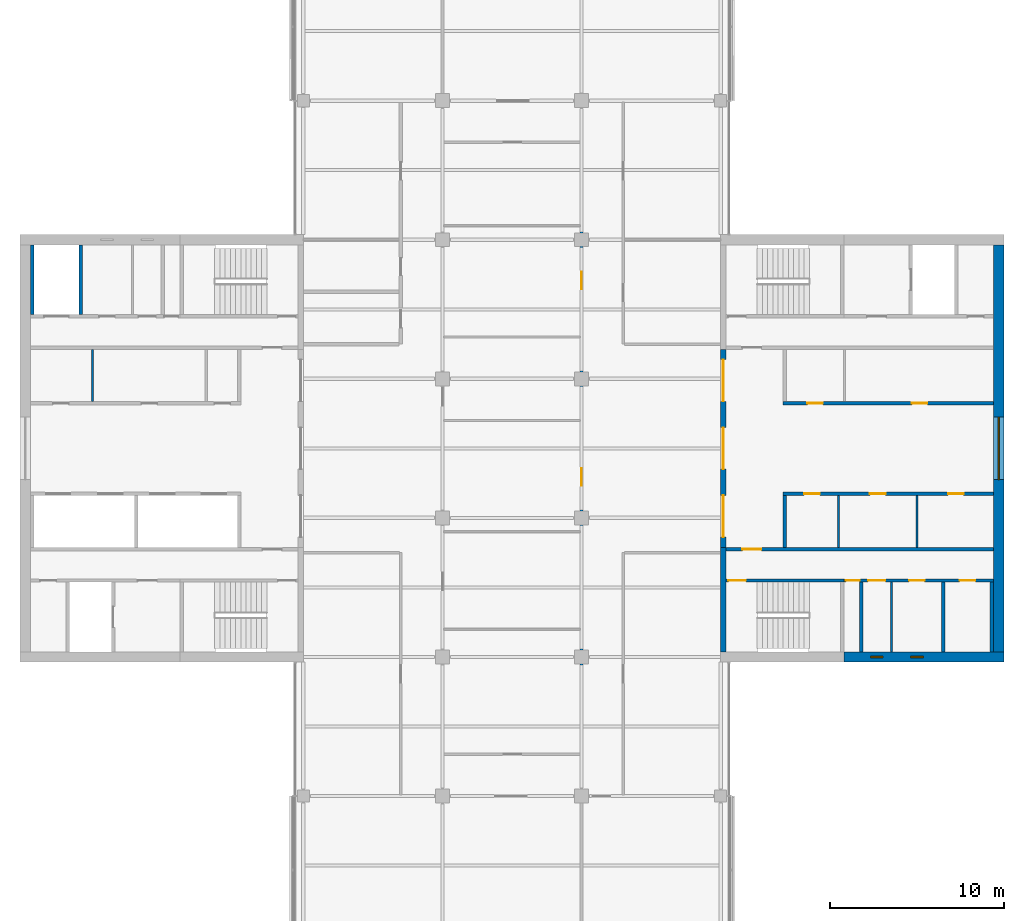
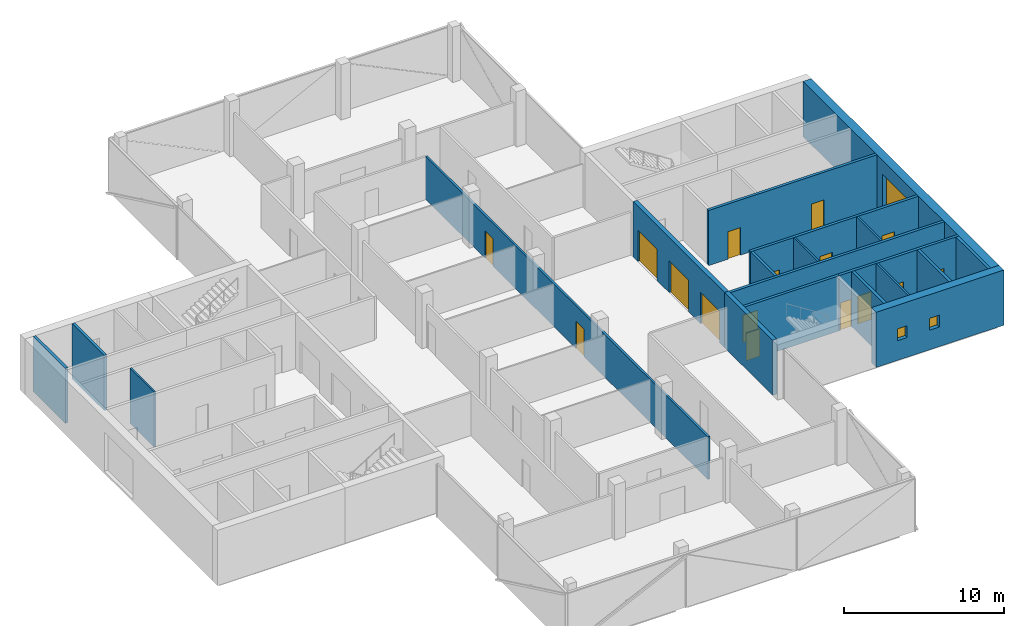
# One storey, part 10 of 15: 20 walls, 16 doors, 3 windows, 19 openings.
"""IFC4 building model written with IfcOpenShell, lengths in metres."""

from ifc_helpers import new_model, si_unit, direction, frame, frame_2d, origin, place, context, subcontext, project, spatial, rectangle, extrude, material, layer, layer_set, constituent, constituent_set, type_object, element, fill, save


model = new_model("IFC4")

# Units and contexts
model_context = context("Model", 3, precision=1e-05, world=origin(), true_north=direction((0.0, 1.0)))
body_context = subcontext(model_context, "Body", "Model", "MODEL_VIEW")
ifc_project = project(units=[si_unit("LENGTHUNIT", "METRE"), si_unit("AREAUNIT", "SQUARE_METRE"), si_unit("VOLUMEUNIT", "CUBIC_METRE"), si_unit("PLANEANGLEUNIT", "RADIAN"), si_unit("MASSUNIT", "GRAM", prefix="KILO")], contexts=[model_context])

# Site, building, storey
site_placement = place(None, origin())
site = spatial("IfcSite", under=ifc_project, at=site_placement, CompositionType="ELEMENT")
building_placement = place(site_placement, origin())
building = spatial("IfcBuilding", under=site, at=building_placement, Name="Crosswind Convention Tower", CompositionType="ELEMENT")
storey_placement = place(building_placement, frame((0.0, 0.0, 233.5)))
storey = spatial("IfcBuildingStorey", under=building, at=storey_placement, Name="L50", CompositionType="ELEMENT", Elevation=233.5)

# Wall
ifc_material_1 = material(Name="Concrete blockwork", Category="masonry")
ifc_layer_1 = layer(ifc_material_1, 0.199951171875)
ifc_layer_set_1 = layer_set([ifc_layer_1], Name="Blockwork partition wall 200")
wall_type_1 = type_object("IfcWallType", Name="Blockwork partition wall 200", PredefinedType="PARTITIONING", material=ifc_layer_set_1)
wall_1_placement = place(storey_placement, frame((145.10009765625, 88.300048828125, 0.0), z_axis=(0.0, 0.0, 1.0), x_axis=(0.0, 1.0, 0.0)))
element("IfcWall", 1, at=wall_1_placement, inside=storey, type_object=wall_type_1, Name="Wall MRSE E L50", PredefinedType="PARTITIONING", context=body_context, shape_type="SweptSolid", body=[
    extrude(rectangle(XDim=4.0, YDim=0.199951171875, at=frame_2d((2.0, 0.0))), origin(), (0.0, 0.0, 1.0), 4.199951171875),
])

# Wall, openings, doors
ifc_material_2 = material(Name="Concrete C50/60", Category="concrete")
ifc_layer_2 = layer(ifc_material_2, 0.300048828125)
ifc_layer_set_2 = layer_set([ifc_layer_2], Name="Concrete C50/60")
wall_type_2 = type_object("IfcWallType", Name="Concrete inner core wall 300", PredefinedType="SHEAR", material=ifc_layer_set_2)
wall_2_placement = place(storey_placement, frame((137.14990234375, 94.300048828125, 0.0), z_axis=(0.0, 0.0, 1.0), x_axis=(0.0, 1.0, 0.0)))
wall_2 = element("IfcWall", 2, at=wall_2_placement, inside=storey, type_object=wall_type_2, Name="Wall SCR E L50", PredefinedType="SHEAR", context=body_context, shape_type="SweptSolid", body=[
    extrude(rectangle(XDim=11.39990234375, YDim=0.300048828125, at=frame_2d((5.699951171875, 0.0))), origin(), (0.0, 0.0, 1.0), 4.199951171875),
])
opening_1_placement = place(wall_2_placement, frame((0.60009765625, 0.0, 0.0)))
opening_1 = element("IfcOpeningElement", 3, at=opening_1_placement, cuts=wall_2, Name="Opening D100", PredefinedType="OPENING", context=body_context, shape_type="SweptSolid", body=[
    extrude(rectangle(XDim=2.39990234375, YDim=2.39990234375, at=frame_2d((1.199951171875, 1.199951171875))), frame((0.0, 0.159912109375, 0.0), z_axis=(0.0, -1.0, 0.0), x_axis=(1.0, 0.0, 0.0)), (0.0, 0.0, 1.0), 0.320068359375),
])
opening_2_placement = place(wall_2_placement, frame((4.5, 0.0, 0.0)))
opening_2 = element("IfcOpeningElement", 4, at=opening_2_placement, cuts=wall_2, Name="Opening D100", PredefinedType="OPENING", context=body_context, shape_type="SweptSolid", body=[
    extrude(rectangle(XDim=2.39990234375, YDim=2.39990234375, at=frame_2d((1.199951171875, 1.199951171875))), frame((0.0, 0.159912109375, 0.0), z_axis=(0.0, -1.0, 0.0), x_axis=(1.0, 0.0, 0.0)), (0.0, 0.0, 1.0), 0.320068359375),
])
opening_3_placement = place(wall_2_placement, frame((8.39990234375, 0.0, 0.0)))
opening_3 = element("IfcOpeningElement", 5, at=opening_3_placement, cuts=wall_2, Name="Opening D100", PredefinedType="OPENING", context=body_context, shape_type="SweptSolid", body=[
    extrude(rectangle(XDim=2.39990234375, YDim=2.39990234375, at=frame_2d((1.199951171875, 1.199951171875))), frame((0.0, 0.159912109375, 0.0), z_axis=(0.0, -1.0, 0.0), x_axis=(1.0, 0.0, 0.0)), (0.0, 0.0, 1.0), 0.320068359375),
])
ifc_material_3 = material(Name="Steel fire door with glazed vision panels", Category="steel")
door_type_1 = type_object("IfcDoorType", Name="Fire-rated double door 2400x2400", OperationType="DOUBLE_DOOR_SINGLE_SWING", PredefinedType="DOOR", material=ifc_material_3)
door_1_placement = place(opening_1_placement, origin())
door_1 = element("IfcDoor", 6, at=door_1_placement, inside=storey, type_object=door_type_1, Name="Lobby door 1 L50", ObjectType="D100", OperationType="DOUBLE_DOOR_SINGLE_SWING", OverallHeight=2.39990234375, OverallWidth=2.39990234375, PredefinedType="DOOR", context=body_context, shape_type="SweptSolid", body=[
    extrude(rectangle(XDim=2.39990234375, YDim=2.39990234375, at=frame_2d((1.199951171875, 1.199951171875))), frame((0.0, 0.02490234375, 0.0), z_axis=(0.0, -1.0, 0.0), x_axis=(1.0, 0.0, 0.0)), (0.0, 0.0, 1.0), 0.050048828125),
])
fill(opening_1, door_1)
door_2_placement = place(opening_2_placement, origin())
door_2 = element("IfcDoor", 7, at=door_2_placement, inside=storey, type_object=door_type_1, Name="Lobby door 2 L50", ObjectType="D100", OperationType="DOUBLE_DOOR_SINGLE_SWING", OverallHeight=2.39990234375, OverallWidth=2.39990234375, PredefinedType="DOOR", context=body_context, shape_type="SweptSolid", body=[
    extrude(rectangle(XDim=2.39990234375, YDim=2.39990234375, at=frame_2d((1.199951171875, 1.199951171875))), frame((0.0, 0.02490234375, 0.0), z_axis=(0.0, -1.0, 0.0), x_axis=(1.0, 0.0, 0.0)), (0.0, 0.0, 1.0), 0.050048828125),
])
fill(opening_2, door_2)
door_3_placement = place(opening_3_placement, origin())
door_3 = element("IfcDoor", 8, at=door_3_placement, inside=storey, type_object=door_type_1, Name="Lobby door 3 L50", ObjectType="D100", OperationType="DOUBLE_DOOR_SINGLE_SWING", OverallHeight=2.39990234375, OverallWidth=2.39990234375, PredefinedType="DOOR", context=body_context, shape_type="SweptSolid", body=[
    extrude(rectangle(XDim=2.39990234375, YDim=2.39990234375, at=frame_2d((1.199951171875, 1.199951171875))), frame((0.0, 0.02490234375, 0.0), z_axis=(0.0, -1.0, 0.0), x_axis=(1.0, 0.0, 0.0)), (0.0, 0.0, 1.0), 0.050048828125),
])
fill(opening_3, door_3)

# Wall
wall_3_placement = place(storey_placement, frame((137.14990234375, 88.300048828125, 0.0), z_axis=(0.0, 0.0, 1.0), x_axis=(0.0, 1.0, 0.0)))
element("IfcWall", 9, at=wall_3_placement, inside=storey, type_object=wall_type_2, Name="Wall EM E L50", PredefinedType="SHEAR", context=body_context, shape_type="SweptSolid", body=[
    extrude(rectangle(XDim=6.0, YDim=0.300048828125, at=frame_2d((3.0, 0.0))), origin(), (0.0, 0.0, 1.0), 4.199951171875),
])

# Wall, openings, doors
ifc_layer_3 = layer(ifc_material_2, 0.199951171875)
ifc_layer_set_3 = layer_set([ifc_layer_3], Name="Concrete C50/60")
wall_type_3 = type_object("IfcWallType", Name="Concrete shaft and stair wall 200", PredefinedType="SHEAR", material=ifc_layer_set_3)
wall_4_placement = place(storey_placement, frame((140.60009765625, 102.60009765625, 0.0), z_axis=(0.0, 0.0, 1.0), x_axis=(1.0, 0.0, 0.0)))
wall_4 = element("IfcWall", 10, at=wall_4_placement, inside=storey, type_object=wall_type_3, Name="Wall RPFRONT E L50", PredefinedType="SHEAR", context=body_context, shape_type="SweptSolid", body=[
    extrude(rectangle(XDim=12.099853515625, YDim=0.199951171875, at=frame_2d((6.0498046875, 0.0))), origin(), (0.0, 0.0, 1.0), 4.199951171875),
])
opening_4_placement = place(wall_4_placement, frame((1.384765625, 0.0, 0.0)))
opening_4 = element("IfcOpeningElement", 11, at=opening_4_placement, cuts=wall_4, Name="Opening D106", PredefinedType="OPENING", context=body_context, shape_type="SweptSolid", body=[
    extrude(rectangle(XDim=0.89990234375, YDim=2.10009765625, at=frame_2d((0.449951171875, 1.050048828125))), frame((0.0, 0.10986328125, 0.0), z_axis=(0.0, -1.0, 0.0), x_axis=(1.0, 0.0, 0.0)), (0.0, 0.0, 1.0), 0.219970703125),
])
opening_5_placement = place(wall_4_placement, frame((7.397216796875, 0.0, 0.0)))
opening_5 = element("IfcOpeningElement", 12, at=opening_5_placement, cuts=wall_4, Name="Opening D106", PredefinedType="OPENING", context=body_context, shape_type="SweptSolid", body=[
    extrude(rectangle(XDim=0.89990234375, YDim=2.10009765625, at=frame_2d((0.449951171875, 1.050048828125))), frame((0.0, 0.10986328125, 0.0), z_axis=(0.0, -1.0, 0.0), x_axis=(1.0, 0.0, 0.0)), (0.0, 0.0, 1.0), 0.219970703125),
])
ifc_material_4 = material(Name="Timber door", Category="wood")
door_type_2 = type_object("IfcDoorType", Name="Single leaf door 900x2100", OperationType="NOTDEFINED", PredefinedType="DOOR", material=ifc_material_4)
door_4_placement = place(opening_4_placement, origin())
door_4 = element("IfcDoor", 13, at=door_4_placement, inside=storey, type_object=door_type_2, Name="Door to tenant services room L50", ObjectType="D106", OperationType="SINGLE_SWING_RIGHT", OverallHeight=2.10009765625, OverallWidth=0.89990234375, PredefinedType="DOOR", context=body_context, shape_type="SweptSolid", body=[
    extrude(rectangle(XDim=0.89990234375, YDim=2.10009765625, at=frame_2d((0.449951171875, 1.050048828125))), frame((0.0, 0.02490234375, 0.0), z_axis=(0.0, -1.0, 0.0), x_axis=(1.0, 0.0, 0.0)), (0.0, 0.0, 1.0), 0.050048828125),
])
fill(opening_4, door_4)
door_5_placement = place(opening_5_placement, origin())
door_5 = element("IfcDoor", 14, at=door_5_placement, inside=storey, type_object=door_type_2, Name="Door to copy and print room L50", ObjectType="D106", OperationType="SINGLE_SWING_RIGHT", OverallHeight=2.10009765625, OverallWidth=0.89990234375, PredefinedType="DOOR", context=body_context, shape_type="SweptSolid", body=[
    extrude(rectangle(XDim=0.89990234375, YDim=2.10009765625, at=frame_2d((0.449951171875, 1.050048828125))), frame((0.0, 0.02490234375, 0.0), z_axis=(0.0, -1.0, 0.0), x_axis=(1.0, 0.0, 0.0)), (0.0, 0.0, 1.0), 0.050048828125),
])
fill(opening_5, door_5)

# Wall
wall_5_placement = place(storey_placement, frame((140.699951171875, 94.300048828125, 0.0), z_axis=(0.0, 0.0, 1.0), x_axis=(0.0, 1.0, 0.0)))
element("IfcWall", 15, at=wall_5_placement, inside=storey, type_object=wall_type_3, Name="Wall RMEND E L50", PredefinedType="SHEAR", context=body_context, shape_type="SweptSolid", body=[
    extrude(rectangle(XDim=3.0, YDim=0.199951171875, at=frame_2d((1.5, 0.0))), origin(), (0.0, 0.0, 1.0), 4.199951171875),
])

# Wall, openings, doors
wall_6_placement = place(storey_placement, frame((140.60009765625, 97.39990234375, 0.0), z_axis=(0.0, 0.0, 1.0), x_axis=(1.0, 0.0, 0.0)))
wall_6 = element("IfcWall", 16, at=wall_6_placement, inside=storey, type_object=wall_type_3, Name="Wall RMFRONT E L50", PredefinedType="SHEAR", context=body_context, shape_type="SweptSolid", body=[
    extrude(rectangle(XDim=12.099853515625, YDim=0.199951171875, at=frame_2d((6.0498046875, 0.0))), origin(), (0.0, 0.0, 1.0), 4.199951171875),
])
opening_6_placement = place(wall_6_placement, frame((1.206298828125, 0.0, 0.0)))
opening_6 = element("IfcOpeningElement", 17, at=opening_6_placement, cuts=wall_6, Name="Opening D106", PredefinedType="OPENING", context=body_context, shape_type="SweptSolid", body=[
    extrude(rectangle(XDim=0.89990234375, YDim=2.10009765625, at=frame_2d((0.449951171875, 1.050048828125))), frame((0.0, 0.10986328125, 0.0), z_axis=(0.0, -1.0, 0.0), x_axis=(1.0, 0.0, 0.0)), (0.0, 0.0, 1.0), 0.219970703125),
])
opening_7_placement = place(wall_6_placement, frame((4.986083984375, 0.0, 0.0)))
opening_7 = element("IfcOpeningElement", 18, at=opening_7_placement, cuts=wall_6, Name="Opening D106", PredefinedType="OPENING", context=body_context, shape_type="SweptSolid", body=[
    extrude(rectangle(XDim=0.89990234375, YDim=2.10009765625, at=frame_2d((0.449951171875, 1.050048828125))), frame((0.0, 0.10986328125, 0.0), z_axis=(0.0, -1.0, 0.0), x_axis=(1.0, 0.0, 0.0)), (0.0, 0.0, 1.0), 0.219970703125),
])
opening_8_placement = place(wall_6_placement, frame((9.479736328125, 0.0, 0.0)))
opening_8 = element("IfcOpeningElement", 19, at=opening_8_placement, cuts=wall_6, Name="Opening D106", PredefinedType="OPENING", context=body_context, shape_type="SweptSolid", body=[
    extrude(rectangle(XDim=0.89990234375, YDim=2.10009765625, at=frame_2d((0.449951171875, 1.050048828125))), frame((0.0, 0.10986328125, 0.0), z_axis=(0.0, -1.0, 0.0), x_axis=(1.0, 0.0, 0.0)), (0.0, 0.0, 1.0), 0.219970703125),
])
door_6_placement = place(opening_6_placement, frame((0.89990234375, 0.0, 0.0), z_axis=(0.0, 0.0, 1.0), x_axis=(-1.0, 0.0, 0.0)))
door_6 = element("IfcDoor", 20, at=door_6_placement, inside=storey, type_object=door_type_2, Name="Door to copy and print room L50", ObjectType="D106", OperationType="SINGLE_SWING_LEFT", OverallHeight=2.10009765625, OverallWidth=0.89990234375, PredefinedType="DOOR", context=body_context, shape_type="SweptSolid", body=[
    extrude(rectangle(XDim=0.89990234375, YDim=2.10009765625, at=frame_2d((0.449951171875, 1.050048828125))), frame((0.0, 0.02490234375, 0.0), z_axis=(0.0, -1.0, 0.0), x_axis=(1.0, 0.0, 0.0)), (0.0, 0.0, 1.0), 0.050048828125),
])
fill(opening_6, door_6)
door_7_placement = place(opening_7_placement, frame((0.89990234375, 0.0, 0.0), z_axis=(0.0, 0.0, 1.0), x_axis=(-1.0, 0.0, 0.0)))
door_7 = element("IfcDoor", 21, at=door_7_placement, inside=storey, type_object=door_type_2, Name="Door to meeting room L50", ObjectType="D106", OperationType="SINGLE_SWING_LEFT", OverallHeight=2.10009765625, OverallWidth=0.89990234375, PredefinedType="DOOR", context=body_context, shape_type="SweptSolid", body=[
    extrude(rectangle(XDim=0.89990234375, YDim=2.10009765625, at=frame_2d((0.449951171875, 1.050048828125))), frame((0.0, 0.02490234375, 0.0), z_axis=(0.0, -1.0, 0.0), x_axis=(1.0, 0.0, 0.0)), (0.0, 0.0, 1.0), 0.050048828125),
])
fill(opening_7, door_7)
door_8_placement = place(opening_8_placement, frame((0.89990234375, 0.0, 0.0), z_axis=(0.0, 0.0, 1.0), x_axis=(-1.0, 0.0, 0.0)))
door_8 = element("IfcDoor", 22, at=door_8_placement, inside=storey, type_object=door_type_2, Name="Door to pantry L50", ObjectType="D106", OperationType="SINGLE_SWING_LEFT", OverallHeight=2.10009765625, OverallWidth=0.89990234375, PredefinedType="DOOR", context=body_context, shape_type="SweptSolid", body=[
    extrude(rectangle(XDim=0.89990234375, YDim=2.10009765625, at=frame_2d((0.449951171875, 1.050048828125))), frame((0.0, 0.02490234375, 0.0), z_axis=(0.0, -1.0, 0.0), x_axis=(1.0, 0.0, 0.0)), (0.0, 0.0, 1.0), 0.050048828125),
])
fill(opening_8, door_8)

# Wall, opening, door
wall_7_placement = place(storey_placement, frame((137.300048828125, 94.199951171875, 0.0), z_axis=(0.0, 0.0, 1.0), x_axis=(1.0, 0.0, 0.0)))
wall_7 = element("IfcWall", 23, at=wall_7_placement, inside=storey, type_object=wall_type_3, Name="Wall HM E L50", PredefinedType="SHEAR", context=body_context, shape_type="SweptSolid", body=[
    extrude(rectangle(XDim=15.39990234375, YDim=0.199951171875, at=frame_2d((7.699951171875, 0.0))), origin(), (0.0, 0.0, 1.0), 4.199951171875),
])
opening_9_placement = place(wall_7_placement, frame((0.949951171875, 0.0, 0.0)))
opening_9 = element("IfcOpeningElement", 24, at=opening_9_placement, cuts=wall_7, Name="Opening D104", PredefinedType="OPENING", context=body_context, shape_type="SweptSolid", body=[
    extrude(rectangle(XDim=1.10009765625, YDim=2.10009765625, at=frame_2d((0.550048828125, 1.050048828125))), frame((0.0, 0.10986328125, 0.0), z_axis=(0.0, -1.0, 0.0), x_axis=(1.0, 0.0, 0.0)), (0.0, 0.0, 1.0), 0.219970703125),
])
ifc_material_5 = material(Name="Steel fire door", Category="steel")
door_type_3 = type_object("IfcDoorType", Name="Fire-rated single door 1100x2100", OperationType="NOTDEFINED", PredefinedType="DOOR", material=ifc_material_5)
door_9_placement = place(opening_9_placement, origin())
door_9 = element("IfcDoor", 25, at=door_9_placement, inside=storey, type_object=door_type_3, Name="Corridor door L50", ObjectType="D104", OperationType="SINGLE_SWING_LEFT", OverallHeight=2.10009765625, OverallWidth=1.10009765625, PredefinedType="DOOR", context=body_context, shape_type="SweptSolid", body=[
    extrude(rectangle(XDim=1.10009765625, YDim=2.10009765625, at=frame_2d((0.550048828125, 1.050048828125))), frame((0.0, 0.02490234375, 0.0), z_axis=(0.0, -1.0, 0.0), x_axis=(1.0, 0.0, 0.0)), (0.0, 0.0, 1.0), 0.050048828125),
])
fill(opening_9, door_9)

# Walls
for number, where, z_axis, x_axis, name in (
    (26, (149.800048828125, 88.300048828125, 0.0), (0.0, 0.0, 1.0), (0.0, 1.0, 0.0), "Wall MFSW E L50"),
    (27, (152.60009765625, 88.300048828125, 0.0), (0.0, 0.0, 1.0), (0.0, 1.0, 0.0), "Wall MFSE E L50"),
):
    element("IfcWall", number, at=place(storey_placement, frame(where, z_axis=z_axis, x_axis=x_axis)), inside=storey, type_object=wall_type_3, Name=name, PredefinedType="SHEAR", context=body_context, shape_type="SweptSolid", body=[
        extrude(rectangle(XDim=4.0, YDim=0.199951171875, at=frame_2d((2.0, 0.0))), origin(), (0.0, 0.0, 1.0), 4.199951171875),
    ])

# Wall, opening, door
wall_8_placement = place(storey_placement, frame((137.300048828125, 92.39990234375, 0.0), z_axis=(0.0, 0.0, 1.0), x_axis=(1.0, 0.0, 0.0)))
wall_8 = element("IfcWall", 28, at=wall_8_placement, inside=storey, type_object=wall_type_3, Name="Wall MCW E L50", PredefinedType="SHEAR", context=body_context, shape_type="SweptSolid", body=[
    extrude(rectangle(XDim=6.800048828125, YDim=0.199951171875, at=frame_2d((3.39990234375, 0.0))), origin(), (0.0, 0.0, 1.0), 4.199951171875),
])
opening_10_placement = place(wall_8_placement, frame((0.14990234375, 0.0, 0.0)))
opening_10 = element("IfcOpeningElement", 29, at=opening_10_placement, cuts=wall_8, Name="Opening D103", PredefinedType="OPENING", context=body_context, shape_type="SweptSolid", body=[
    extrude(rectangle(XDim=1.0, YDim=2.10009765625, at=frame_2d((0.5, 1.050048828125))), frame((0.0, 0.10986328125, 0.0), z_axis=(0.0, -1.0, 0.0), x_axis=(1.0, 0.0, 0.0)), (0.0, 0.0, 1.0), 0.219970703125),
])
door_type_4 = type_object("IfcDoorType", Name="Fire-rated single door 1000x2100", OperationType="NOTDEFINED", PredefinedType="DOOR", material=ifc_material_5)
door_10_placement = place(opening_10_placement, frame((1.0, 0.0, 0.0), z_axis=(0.0, 0.0, 1.0), x_axis=(-1.0, 0.0, 0.0)))
door_10 = element("IfcDoor", 30, at=door_10_placement, inside=storey, type_object=door_type_4, Name="Stair ST2 door L50", ObjectType="D103", OperationType="SINGLE_SWING_RIGHT", OverallHeight=2.10009765625, OverallWidth=1.0, PredefinedType="DOOR", context=body_context, shape_type="SweptSolid", body=[
    extrude(rectangle(XDim=1.0, YDim=2.10009765625, at=frame_2d((0.5, 1.050048828125))), frame((0.0, 0.02490234375, 0.0), z_axis=(0.0, -1.0, 0.0), x_axis=(1.0, 0.0, 0.0)), (0.0, 0.0, 1.0), 0.050048828125),
])
fill(opening_10, door_10)

# Wall, openings, doors
wall_9_placement = place(storey_placement, frame((144.10009765625, 92.39990234375, 0.0), z_axis=(0.0, 0.0, 1.0), x_axis=(1.0, 0.0, 0.0)))
wall_9 = element("IfcWall", 31, at=wall_9_placement, inside=storey, type_object=wall_type_3, Name="Wall MCX E L50", PredefinedType="SHEAR", context=body_context, shape_type="SweptSolid", body=[
    extrude(rectangle(XDim=8.599853515625, YDim=0.199951171875, at=frame_2d((4.2998046875, 0.0))), origin(), (0.0, 0.0, 1.0), 4.199951171875),
])
opening_11_placement = place(wall_9_placement, frame((0.10009765625, 0.0, 0.0)))
opening_11 = element("IfcOpeningElement", 32, at=opening_11_placement, cuts=wall_9, Name="Opening D105", PredefinedType="OPENING", context=body_context, shape_type="SweptSolid", body=[
    extrude(rectangle(XDim=0.800048828125, YDim=2.10009765625, at=frame_2d((0.39990234375, 1.050048828125))), frame((0.0, 0.10986328125, 0.0), z_axis=(0.0, -1.0, 0.0), x_axis=(1.0, 0.0, 0.0)), (0.0, 0.0, 1.0), 0.219970703125),
])
opening_12_placement = place(wall_9_placement, frame((1.378662109375, 0.0, 0.0)))
opening_12 = element("IfcOpeningElement", 33, at=opening_12_placement, cuts=wall_9, Name="Opening D103", PredefinedType="OPENING", context=body_context, shape_type="SweptSolid", body=[
    extrude(rectangle(XDim=1.0, YDim=2.10009765625, at=frame_2d((0.5, 1.050048828125))), frame((0.0, 0.10986328125, 0.0), z_axis=(0.0, -1.0, 0.0), x_axis=(1.0, 0.0, 0.0)), (0.0, 0.0, 1.0), 0.219970703125),
])
opening_13_placement = place(wall_9_placement, frame((3.7412109375, 0.0, 0.0)))
opening_13 = element("IfcOpeningElement", 34, at=opening_13_placement, cuts=wall_9, Name="Opening D106", PredefinedType="OPENING", context=body_context, shape_type="SweptSolid", body=[
    extrude(rectangle(XDim=0.89990234375, YDim=2.10009765625, at=frame_2d((0.449951171875, 1.050048828125))), frame((0.0, 0.10986328125, 0.0), z_axis=(0.0, -1.0, 0.0), x_axis=(1.0, 0.0, 0.0)), (0.0, 0.0, 1.0), 0.219970703125),
])
opening_14_placement = place(wall_9_placement, frame((6.64990234375, 0.0, 0.0)))
opening_14 = element("IfcOpeningElement", 35, at=opening_14_placement, cuts=wall_9, Name="Opening D106", PredefinedType="OPENING", context=body_context, shape_type="SweptSolid", body=[
    extrude(rectangle(XDim=0.89990234375, YDim=2.10009765625, at=frame_2d((0.449951171875, 1.050048828125))), frame((0.0, 0.10986328125, 0.0), z_axis=(0.0, -1.0, 0.0), x_axis=(1.0, 0.0, 0.0)), (0.0, 0.0, 1.0), 0.219970703125),
])
door_11_placement = place(opening_12_placement, frame((1.0, 0.0, 0.0), z_axis=(0.0, 0.0, 1.0), x_axis=(-1.0, 0.0, 0.0)))
door_11 = element("IfcDoor", 36, at=door_11_placement, inside=storey, type_object=door_type_4, Name="Door to accessible wc L50", ObjectType="D103", OperationType="SINGLE_SWING_LEFT", OverallHeight=2.10009765625, OverallWidth=1.0, PredefinedType="DOOR", context=body_context, shape_type="SweptSolid", body=[
    extrude(rectangle(XDim=1.0, YDim=2.10009765625, at=frame_2d((0.5, 1.050048828125))), frame((0.0, 0.02490234375, 0.0), z_axis=(0.0, -1.0, 0.0), x_axis=(1.0, 0.0, 0.0)), (0.0, 0.0, 1.0), 0.050048828125),
])
fill(opening_12, door_11)
door_type_5 = type_object("IfcDoorType", Name="Riser access door 800x2100", OperationType="NOTDEFINED", PredefinedType="DOOR", material=ifc_material_5)
door_12_placement = place(opening_11_placement, frame((0.800048828125, 0.0, 0.0), z_axis=(0.0, 0.0, 1.0), x_axis=(-1.0, 0.0, 0.0)))
door_12 = element("IfcDoor", 37, at=door_12_placement, inside=storey, type_object=door_type_5, Name="Riser door L50", ObjectType="D105", OperationType="SINGLE_SWING_LEFT", OverallHeight=2.10009765625, OverallWidth=0.800048828125, PredefinedType="DOOR", context=body_context, shape_type="SweptSolid", body=[
    extrude(rectangle(XDim=0.800048828125, YDim=2.10009765625, at=frame_2d((0.39990234375, 1.050048828125))), frame((0.0, 0.02490234375, 0.0), z_axis=(0.0, -1.0, 0.0), x_axis=(1.0, 0.0, 0.0)), (0.0, 0.0, 1.0), 0.050048828125),
])
fill(opening_11, door_12)
door_13_placement = place(opening_13_placement, frame((0.89990234375, 0.0, 0.0), z_axis=(0.0, 0.0, 1.0), x_axis=(-1.0, 0.0, 0.0)))
door_13 = element("IfcDoor", 38, at=door_13_placement, inside=storey, type_object=door_type_2, Name="Door to wc L50", ObjectType="D106", OperationType="SINGLE_SWING_LEFT", OverallHeight=2.10009765625, OverallWidth=0.89990234375, PredefinedType="DOOR", context=body_context, shape_type="SweptSolid", body=[
    extrude(rectangle(XDim=0.89990234375, YDim=2.10009765625, at=frame_2d((0.449951171875, 1.050048828125))), frame((0.0, 0.02490234375, 0.0), z_axis=(0.0, -1.0, 0.0), x_axis=(1.0, 0.0, 0.0)), (0.0, 0.0, 1.0), 0.050048828125),
])
fill(opening_13, door_13)
door_14_placement = place(opening_14_placement, frame((0.89990234375, 0.0, 0.0), z_axis=(0.0, 0.0, 1.0), x_axis=(-1.0, 0.0, 0.0)))
door_14 = element("IfcDoor", 39, at=door_14_placement, inside=storey, type_object=door_type_2, Name="Door to wc L50", ObjectType="D106", OperationType="SINGLE_SWING_LEFT", OverallHeight=2.10009765625, OverallWidth=0.89990234375, PredefinedType="DOOR", context=body_context, shape_type="SweptSolid", body=[
    extrude(rectangle(XDim=0.89990234375, YDim=2.10009765625, at=frame_2d((0.449951171875, 1.050048828125))), frame((0.0, 0.02490234375, 0.0), z_axis=(0.0, -1.0, 0.0), x_axis=(1.0, 0.0, 0.0)), (0.0, 0.0, 1.0), 0.050048828125),
])
fill(opening_14, door_14)

# Walls
for number, where, z_axis, x_axis, name in (
    (40, (100.199951171875, 111.699951171875, 0.0), (0.0, 0.0, 1.0), (0.0, -1.0, 0.0), "Wall MFSW W L50"),
    (41, (97.39990234375, 111.699951171875, 0.0), (0.0, 0.0, 1.0), (0.0, -1.0, 0.0), "Wall MFSE W L50"),
):
    element("IfcWall", number, at=place(storey_placement, frame(where, z_axis=z_axis, x_axis=x_axis)), inside=storey, type_object=wall_type_3, Name=name, PredefinedType="SHEAR", context=body_context, shape_type="SweptSolid", body=[
        extrude(rectangle(XDim=4.0, YDim=0.199951171875, at=frame_2d((2.0, 0.0))), origin(), (0.0, 0.0, 1.0), 4.199951171875),
    ])
ifc_material_6 = material(Name="Gypsum plasterboard partition", Category="gypsum")
ifc_layer_4 = layer(ifc_material_6, 0.125)
ifc_layer_set_4 = layer_set([ifc_layer_4], Name="Drywall partition wall 125")
wall_type_4 = type_object("IfcWallType", Name="Drywall partition wall 125", PredefinedType="PARTITIONING", material=ifc_layer_set_4)
for number, where, z_axis, x_axis, name in (
    (42, (143.77490234375, 94.300048828125, 0.0), (0.0, 0.0, 1.0), (0.0, 1.0, 0.0), "Wall RMP1 E L50"),
    (43, (148.297119140625, 94.300048828125, 0.0), (0.0, 0.0, 1.0), (0.0, 1.0, 0.0), "Wall RMP2 E L50"),
):
    element("IfcWall", number, at=place(storey_placement, frame(where, z_axis=z_axis, x_axis=x_axis)), inside=storey, type_object=wall_type_4, Name=name, PredefinedType="PARTITIONING", context=body_context, shape_type="SweptSolid", body=[
        extrude(rectangle(XDim=3.0, YDim=0.125, at=frame_2d((1.5, 0.0))), origin(), (0.0, 0.0, 1.0), 4.199951171875),
    ])
wall_10_placement = place(storey_placement, frame((146.820068359375, 88.300048828125, 0.0), z_axis=(0.0, 0.0, 1.0), x_axis=(0.0, 1.0, 0.0)))
element("IfcWall", 44, at=wall_10_placement, inside=storey, type_object=wall_type_4, Name="Wall MWP1 E L50", PredefinedType="PARTITIONING", context=body_context, shape_type="SweptSolid", body=[
    extrude(rectangle(XDim=4.0, YDim=0.125, at=frame_2d((2.0, 0.0))), origin(), (0.0, 0.0, 1.0), 4.199951171875),
])
wall_11_placement = place(storey_placement, frame((100.8701171875, 105.699951171875, 0.0), z_axis=(0.0, 0.0, 1.0), x_axis=(0.0, -1.0, 0.0)))
element("IfcWall", 45, at=wall_11_placement, inside=storey, type_object=wall_type_4, Name="Wall RMP2 W L50", PredefinedType="PARTITIONING", context=body_context, shape_type="SweptSolid", body=[
    extrude(rectangle(XDim=3.0, YDim=0.125, at=frame_2d((1.5, 0.0))), origin(), (0.0, 0.0, 1.0), 4.199951171875),
])

# Wall, openings, doors
ifc_material_7 = material(Name="Fire-board partition with mineral wool", Category="gypsum")
ifc_layer_5 = layer(ifc_material_7, 0.14990234375)
ifc_layer_set_5 = layer_set([ifc_layer_5], Name="TENANCY WALL 150 TWO-HOUR BOARD")
wall_type_5 = type_object("IfcWallType", Name="TENANCY WALL 150 TWO-HOUR BOARD", PredefinedType="PARTITIONING", material=ifc_layer_set_5)
wall_12_placement = place(storey_placement, frame((129.0, 82.39990234375, 0.0), z_axis=(0.0, 0.0, 1.0), x_axis=(0.0, 1.0, 0.0)))
wall_12 = element("IfcWall", 46, at=wall_12_placement, inside=storey, type_object=wall_type_5, Name="Tenancy wall WT41", PredefinedType="PARTITIONING", context=body_context, shape_type="SweptSolid", body=[
    extrude(rectangle(XDim=35.2001953125, YDim=0.14990234375, at=frame_2d((17.60009765625, 0.0))), origin(), (0.0, 0.0, 1.0), 3.25537109375),
])
opening_15_placement = place(wall_12_placement, frame((15.449951171875, 0.0, 0.0)))
opening_15 = element("IfcOpeningElement", 47, at=opening_15_placement, cuts=wall_12, Name="Opening L50-62", PredefinedType="OPENING", context=body_context, shape_type="SweptSolid", body=[
    extrude(rectangle(XDim=1.0, YDim=2.10009765625, at=frame_2d((0.5, 1.050048828125))), frame((0.0, 0.0849609375, 0.0), z_axis=(0.0, -1.0, 0.0), x_axis=(1.0, 0.0, 0.0)), (0.0, 0.0, 1.0), 0.169921875),
])
opening_16_placement = place(wall_12_placement, frame((26.75, 0.0, 0.0)))
opening_16 = element("IfcOpeningElement", 48, at=opening_16_placement, cuts=wall_12, Name="Opening L50-64", PredefinedType="OPENING", context=body_context, shape_type="SweptSolid", body=[
    extrude(rectangle(XDim=1.0, YDim=2.10009765625, at=frame_2d((0.5, 1.050048828125))), frame((0.0, 0.0849609375, 0.0), z_axis=(0.0, -1.0, 0.0), x_axis=(1.0, 0.0, 0.0)), (0.0, 0.0, 1.0), 0.169921875),
])
ifc_material_8 = material(Name="Timber fire door", Category="wood")
door_type_6 = type_object("IfcDoorType", Name="TENANCY ENTRANCE DOOR 1000X2100 FD30S", OperationType="NOTDEFINED", PredefinedType="DOOR", material=ifc_material_8)
door_15_placement = place(opening_15_placement, origin())
door_15 = element("IfcDoor", 49, at=door_15_placement, inside=storey, type_object=door_type_6, Name="Door L50-62", ObjectType="D41", OperationType="SINGLE_SWING_LEFT", OverallHeight=2.10009765625, OverallWidth=1.0, PredefinedType="DOOR", context=body_context, shape_type="SweptSolid", body=[
    extrude(rectangle(XDim=1.0, YDim=2.10009765625, at=frame_2d((0.5, 1.050048828125))), frame((0.0, 0.02490234375, 0.0), z_axis=(0.0, -1.0, 0.0), x_axis=(1.0, 0.0, 0.0)), (0.0, 0.0, 1.0), 0.050048828125),
])
fill(opening_15, door_15)
door_16_placement = place(opening_16_placement, origin())
door_16 = element("IfcDoor", 50, at=door_16_placement, inside=storey, type_object=door_type_6, Name="Door L50-64", ObjectType="D41", OperationType="SINGLE_SWING_RIGHT", OverallHeight=2.10009765625, OverallWidth=1.0, PredefinedType="DOOR", context=body_context, shape_type="SweptSolid", body=[
    extrude(rectangle(XDim=1.0, YDim=2.10009765625, at=frame_2d((0.5, 1.050048828125))), frame((0.0, 0.02490234375, 0.0), z_axis=(0.0, -1.0, 0.0), x_axis=(1.0, 0.0, 0.0)), (0.0, 0.0, 1.0), 0.050048828125),
])
fill(opening_16, door_16)

# Wall, openings, windows
ifc_material_9 = material(Name="Concrete C60/75", Category="concrete")
ifc_constituent_1 = constituent(ifc_material_9, Name="Structure")
ifc_material_10 = material(Name="Terracotta rainscreen", Category="ceramic")
ifc_constituent_2 = constituent(ifc_material_10, Name="Facing")
ifc_constituent_set = constituent_set(constituents=[ifc_constituent_1, ifc_constituent_2], Name="Concrete C60/75, Terracotta rainscreen")
wall_type_6 = type_object("IfcWallType", Name="Terracotta rainscreen on concrete core wall 600", PredefinedType="SHEAR", material=ifc_constituent_set)
wall_13_placement = place(storey_placement, frame((144.10009765625, 88.0, 0.0), z_axis=(0.0, 0.0, 1.0), x_axis=(1.0, 0.0, 0.0)))
wall_13 = element("IfcWall", 51, at=wall_13_placement, inside=storey, type_object=wall_type_6, Name="Wall S2 E L50", PredefinedType="SHEAR", context=body_context, shape_type="SweptSolid", body=[
    extrude(rectangle(XDim=9.199951171875, YDim=0.60009765625, at=frame_2d((4.60009765625, 0.0))), origin(), (0.0, 0.0, 1.0), 4.199951171875),
])
opening_17_placement = place(wall_13_placement, frame((1.52880859375, 0.0, 1.5)))
opening_17 = element("IfcOpeningElement", 52, at=opening_17_placement, cuts=wall_13, Name="Opening W2", PredefinedType="OPENING", context=body_context, shape_type="SweptSolid", body=[
    extrude(rectangle(XDim=0.699951171875, YDim=0.89990234375, at=frame_2d((0.35009765625, 0.449951171875))), frame((0.0, 0.31005859375, 0.0), z_axis=(0.0, -1.0, 0.0), x_axis=(1.0, 0.0, 0.0)), (0.0, 0.0, 1.0), 0.6201171875),
])
opening_18_placement = place(wall_13_placement, frame((3.84130859375, 0.0, 1.5)))
opening_18 = element("IfcOpeningElement", 53, at=opening_18_placement, cuts=wall_13, Name="Opening W2", PredefinedType="OPENING", context=body_context, shape_type="SweptSolid", body=[
    extrude(rectangle(XDim=0.699951171875, YDim=0.89990234375, at=frame_2d((0.35009765625, 0.449951171875))), frame((0.0, 0.31005859375, 0.0), z_axis=(0.0, -1.0, 0.0), x_axis=(1.0, 0.0, 0.0)), (0.0, 0.0, 1.0), 0.6201171875),
])
ifc_material_11 = material(Name="Obscure glass in aluminium frame", Category="aluminium")
window_type_1 = type_object("IfcWindowType", Name="WC window 700x900", PartitioningType="SINGLE_PANEL", PredefinedType="WINDOW", material=ifc_material_11)
window_1_placement = place(opening_17_placement, origin())
window_1 = element("IfcWindow", 54, at=window_1_placement, inside=storey, type_object=window_type_1, Name="WC window L50", ObjectType="W2", OverallHeight=0.89990234375, OverallWidth=0.699951171875, PartitioningType="SINGLE_PANEL", PredefinedType="WINDOW", context=body_context, shape_type="SweptSolid", body=[
    extrude(rectangle(XDim=0.699951171875, YDim=0.89990234375, at=frame_2d((0.35009765625, 0.449951171875))), frame((0.0, 0.030029296875, 0.0), z_axis=(0.0, -1.0, 0.0), x_axis=(1.0, 0.0, 0.0)), (0.0, 0.0, 1.0), 0.06005859375),
])
fill(opening_17, window_1)
window_2_placement = place(opening_18_placement, origin())
window_2 = element("IfcWindow", 55, at=window_2_placement, inside=storey, type_object=window_type_1, Name="WC window L50", ObjectType="W2", OverallHeight=0.89990234375, OverallWidth=0.699951171875, PartitioningType="SINGLE_PANEL", PredefinedType="WINDOW", context=body_context, shape_type="SweptSolid", body=[
    extrude(rectangle(XDim=0.699951171875, YDim=0.89990234375, at=frame_2d((0.35009765625, 0.449951171875))), frame((0.0, 0.030029296875, 0.0), z_axis=(0.0, -1.0, 0.0), x_axis=(1.0, 0.0, 0.0)), (0.0, 0.0, 1.0), 0.06005859375),
])
fill(opening_18, window_2)

# Wall, opening, window
wall_14_placement = place(storey_placement, frame((153.0, 88.300048828125, 0.0), z_axis=(0.0, 0.0, 1.0), x_axis=(0.0, 1.0, 0.0)))
wall_14 = element("IfcWall", 56, at=wall_14_placement, inside=storey, type_object=wall_type_6, Name="Wall O E L50", PredefinedType="SHEAR", context=body_context, shape_type="SweptSolid", body=[
    extrude(rectangle(XDim=23.39990234375, YDim=0.60009765625, at=frame_2d((11.699951171875, 0.0))), origin(), (0.0, 0.0, 1.0), 4.199951171875),
])
opening_19_placement = place(wall_14_placement, frame((9.89990234375, 0.0, 0.14990234375)))
opening_19 = element("IfcOpeningElement", 57, at=opening_19_placement, cuts=wall_14, Name="Opening W1", PredefinedType="OPENING", context=body_context, shape_type="SweptSolid", body=[
    extrude(rectangle(XDim=3.60009765625, YDim=3.0, at=frame_2d((1.800048828125, 1.5))), frame((0.0, 0.31005859375, 0.0), z_axis=(0.0, -1.0, 0.0), x_axis=(1.0, 0.0, 0.0)), (0.0, 0.0, 1.0), 0.6201171875),
])
ifc_material_12 = material(Name="Clear laminated glass in aluminium frame", Category="aluminium")
window_type_2 = type_object("IfcWindowType", Name="Lobby end window 3600x3000", PartitioningType="SINGLE_PANEL", PredefinedType="WINDOW", material=ifc_material_12)
window_3_placement = place(opening_19_placement, origin())
window_3 = element("IfcWindow", 58, at=window_3_placement, inside=storey, type_object=window_type_2, Name="Lobby end window L50", ObjectType="W1", OverallHeight=3.0, OverallWidth=3.60009765625, PartitioningType="SINGLE_PANEL", PredefinedType="WINDOW", context=body_context, shape_type="SweptSolid", body=[
    extrude(rectangle(XDim=3.60009765625, YDim=3.0, at=frame_2d((1.800048828125, 1.5))), frame((0.0, 0.030029296875, 0.0), z_axis=(0.0, -1.0, 0.0), x_axis=(1.0, 0.0, 0.0)), (0.0, 0.0, 1.0), 0.06005859375),
])
fill(opening_19, window_3)

save(model, "model.ifc")
